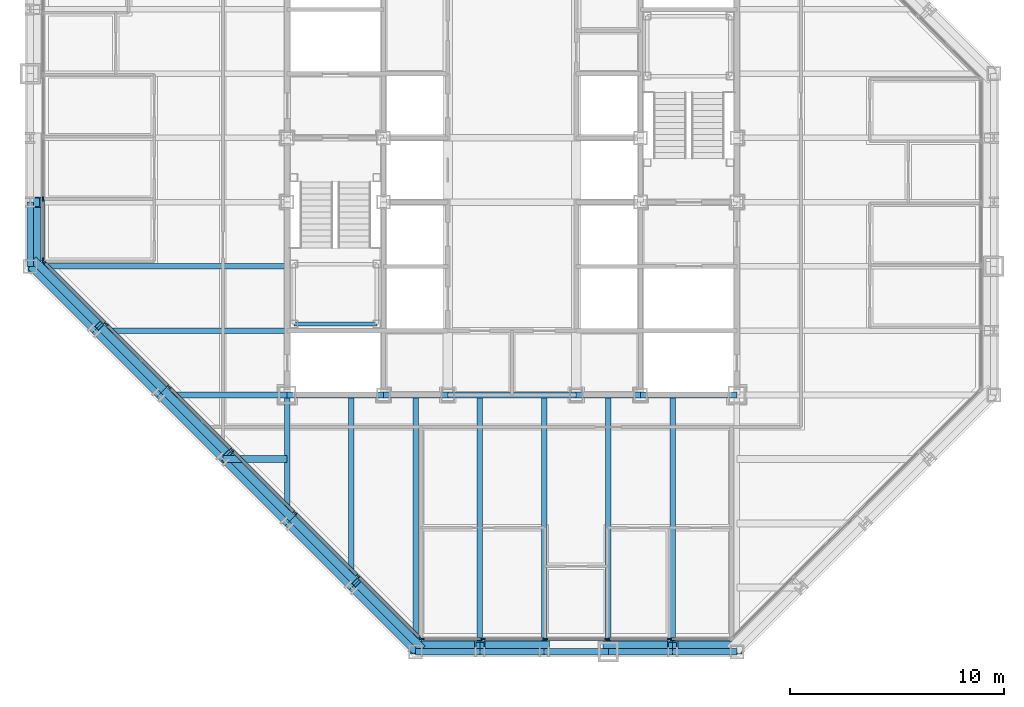
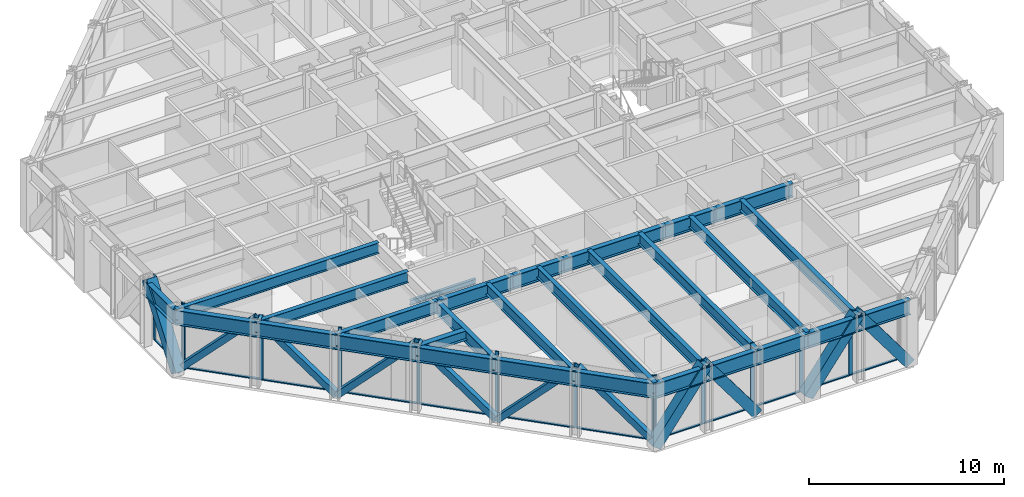
# One storey, part 5 of 16: 37 members, 29 beams, 3 elements without a shape of their own.
"""IFC4 building model written with IfcOpenShell, lengths in metres."""

from ifc_helpers import new_model, si_unit, direction, frame, origin, origin_2d, place, context, subcontext, project, spatial, rectangle, hollow_rectangle, i_section, extrude, material, layer, layer_set, material_profile, profile_set, type_object, element, aggregate, save


model = new_model("IFC4")

# Units and contexts
model_context = context("Model", 3, precision=1e-05, world=origin(), true_north=direction((0.0, 1.0)))
body_context = subcontext(model_context, "Body", "Model", "MODEL_VIEW")
ifc_project = project(units=[si_unit("LENGTHUNIT", "METRE"), si_unit("AREAUNIT", "SQUARE_METRE"), si_unit("VOLUMEUNIT", "CUBIC_METRE"), si_unit("PLANEANGLEUNIT", "RADIAN"), si_unit("MASSUNIT", "GRAM", prefix="KILO")], contexts=[model_context])

# Site, building, storey
site_placement = place(None, origin())
site = spatial("IfcSite", under=ifc_project, at=site_placement, CompositionType="ELEMENT")
building_placement = place(site_placement, origin())
building = spatial("IfcBuilding", under=site, at=building_placement, Name="Chuquiago Exchange Tower", CompositionType="ELEMENT")
storey_placement = place(building_placement, frame((0.0, 0.0, 205.5)))
storey = spatial("IfcBuildingStorey", under=building, at=storey_placement, Name="L45", CompositionType="ELEMENT", Elevation=205.5)

# Beams
ifc_material_1 = material(Name="Steel ASTM A992", Category="steel")
ifc_material_profile_1 = material_profile(ifc_material_1, i_section(OverallWidth=0.25390625, OverallDepth=0.683349609375, WebThickness=0.012451171875, FlangeThickness=0.018798828125, at=origin_2d()), Name="W27X94")
ifc_profile_set_1 = profile_set([ifc_material_profile_1], Name="Steel ASTM A992")
beam_type_1 = type_object("IfcBeamType", Name="B1 W27X94", PredefinedType="BEAM", material=ifc_profile_set_1)
beam_1_placement = place(storey_placement, frame((15.0, 12.0, 3.698486328125), z_axis=(0.0, -1.0, 0.0), x_axis=(1.0, 0.0, 0.0)))
element("IfcBeam", 1, at=beam_1_placement, inside=storey, type_object=beam_type_1, Name="FB-L46-infill-15_12-15_3-0", PredefinedType="BEAM", context=body_context, shape_type="SweptSolid", body=[
    extrude(i_section(OverallWidth=0.25390625, OverallDepth=0.683349609375, WebThickness=0.012451171875, FlangeThickness=0.018798828125, at=origin_2d()), origin(), (0.0, 0.0, 1.0), 9.0),
])
for number, where, z_axis, x_axis, name in (
    (2, (18.0, 12.0, 3.698486328125), (0.0, -1.0, 0.0), (1.0, 0.0, 0.0), "FB-L46-infill-18_12-18_-0-0"),
    (3, (21.0, 12.0, 3.698486328125), (0.0, -1.0, 0.0), (1.0, 0.0, 0.0), "FB-L46-infill-21_12-21_-0-0"),
    (4, (24.0, 12.0, 3.698486328125), (0.0, -1.0, 0.0), (1.0, 0.0, 0.0), "FB-L46-infill-24_12-24_-0-0"),
    (5, (27.0, 12.0, 3.698486328125), (0.0, -1.0, 0.0), (1.0, 0.0, 0.0), "FB-L46-infill-27_12-27_-0-0"),
    (6, (30.0, 12.0, 3.698486328125), (0.0, -1.0, 0.0), (1.0, 0.0, 0.0), "FB-L46-infill-30_12-30_-0-0"),
):
    element("IfcBeam", number, at=place(storey_placement, frame(where, z_axis=z_axis, x_axis=x_axis)), inside=storey, type_object=beam_type_1, Name=name, PredefinedType="BEAM", context=body_context, shape_type="SweptSolid", body=[
        extrude(i_section(OverallWidth=0.25390625, OverallDepth=0.683349609375, WebThickness=0.012451171875, FlangeThickness=0.018798828125, at=origin_2d()), origin(), (0.0, 0.0, 1.0), 12.0),
    ])
beam_2_placement = place(storey_placement, frame((12.0, 15.0, 3.698486328125), z_axis=(-1.0, 0.0, 0.0), x_axis=(0.0, -1.0, 0.0)))
element("IfcBeam", 7, at=beam_2_placement, inside=storey, type_object=beam_type_1, Name="FB-L46-infill-12_15-3_15-0", PredefinedType="BEAM", context=body_context, shape_type="SweptSolid", body=[
    extrude(i_section(OverallWidth=0.25390625, OverallDepth=0.683349609375, WebThickness=0.012451171875, FlangeThickness=0.018798828125, at=origin_2d()), origin(), (0.0, 0.0, 1.0), 9.0),
])
beam_3_placement = place(storey_placement, frame((12.0, 18.0, 3.698486328125), z_axis=(-1.0, 0.0, 0.0), x_axis=(0.0, -1.0, 0.0)))
element("IfcBeam", 8, at=beam_3_placement, inside=storey, type_object=beam_type_1, Name="FB-L46-infill-12_18--0_18-0", PredefinedType="BEAM", context=body_context, shape_type="SweptSolid", body=[
    extrude(i_section(OverallWidth=0.25390625, OverallDepth=0.683349609375, WebThickness=0.012451171875, FlangeThickness=0.018798828125, at=origin_2d()), origin(), (0.0, 0.0, 1.0), 12.0),
])
ifc_material_2 = material(Name="Steel ASTM A992", Category="steel")
ifc_material_profile_2 = material_profile(ifc_material_2, i_section(OverallWidth=0.3251953125, OverallDepth=0.612060546875, WebThickness=0.0126953125, FlangeThickness=0.01904296875, at=origin_2d()), Name="W24X104")
ifc_profile_set_2 = profile_set([ifc_material_profile_2], Name="Steel ASTM A992")
beam_type_2 = type_object("IfcBeamType", Name="B2 W24X104", PredefinedType="BEAM", material=ifc_profile_set_2)
beam_4_placement = place(storey_placement, frame((12.0, 9.0, 3.73388671875), z_axis=(-1.0, 0.0, 0.0), x_axis=(0.0, -1.0, 0.0)))
element("IfcBeam", 9, at=beam_4_placement, inside=storey, type_object=beam_type_2, Name="FB-L46-corner-12_9-9_9-0", PredefinedType="BEAM", context=body_context, shape_type="SweptSolid", body=[
    extrude(i_section(OverallWidth=0.3251953125, OverallDepth=0.612060546875, WebThickness=0.0126953125, FlangeThickness=0.01904296875, at=origin_2d()), origin(), (0.0, 0.0, 1.0), 3.0),
])
ifc_material_3 = material(Name="Steel ASTM A992", Category="steel")
ifc_material_profile_3 = material_profile(ifc_material_3, i_section(OverallWidth=0.2919921875, OverallDepth=0.8583984375, WebThickness=0.01708984375, FlangeThickness=0.031005859375, at=origin_2d()), Name="W33X169")
ifc_profile_set_3 = profile_set([ifc_material_profile_3], Name="Steel ASTM A992")
beam_type_3 = type_object("IfcBeamType", Name="B3 W33X169", PredefinedType="BEAM", material=ifc_profile_set_3)
beam_5_placement = place(storey_placement, frame((12.0, 12.0, 3.610595703125), z_axis=(1.0, 0.0, 0.0), x_axis=(0.0, 1.0, 0.0)))
element("IfcBeam", 10, at=beam_5_placement, inside=storey, type_object=beam_type_3, Name="CB-L46-12_12-16.5_12", PredefinedType="BEAM", context=body_context, shape_type="SweptSolid", body=[
    extrude(i_section(OverallWidth=0.2919921875, OverallDepth=0.8583984375, WebThickness=0.01708984375, FlangeThickness=0.031005859375, at=origin_2d()), origin(), (0.0, 0.0, 1.0), 4.5),
])
beam_6_placement = place(storey_placement, frame((16.5, 12.0, 3.610595703125), z_axis=(1.0, 0.0, 0.0), x_axis=(0.0, 1.0, 0.0)))
element("IfcBeam", 11, at=beam_6_placement, inside=storey, type_object=beam_type_3, Name="CB-L46-16.5_12-19.5_12", PredefinedType="BEAM", context=body_context, shape_type="SweptSolid", body=[
    extrude(i_section(OverallWidth=0.2919921875, OverallDepth=0.8583984375, WebThickness=0.01708984375, FlangeThickness=0.031005859375, at=origin_2d()), origin(), (0.0, 0.0, 1.0), 3.0),
])
beam_7_placement = place(storey_placement, frame((19.5, 12.0, 3.610595703125), z_axis=(1.0, 0.0, 0.0), x_axis=(0.0, 1.0, 0.0)))
element("IfcBeam", 12, at=beam_7_placement, inside=storey, type_object=beam_type_3, Name="CB-L46-19.5_12-25.5_12", PredefinedType="BEAM", context=body_context, shape_type="SweptSolid", body=[
    extrude(i_section(OverallWidth=0.2919921875, OverallDepth=0.8583984375, WebThickness=0.01708984375, FlangeThickness=0.031005859375, at=origin_2d()), origin(), (0.0, 0.0, 1.0), 6.0),
])
beam_8_placement = place(storey_placement, frame((25.5, 12.0, 3.610595703125), z_axis=(1.0, 0.0, 0.0), x_axis=(0.0, 1.0, 0.0)))
element("IfcBeam", 13, at=beam_8_placement, inside=storey, type_object=beam_type_3, Name="CB-L46-25.5_12-28.5_12", PredefinedType="BEAM", context=body_context, shape_type="SweptSolid", body=[
    extrude(i_section(OverallWidth=0.2919921875, OverallDepth=0.8583984375, WebThickness=0.01708984375, FlangeThickness=0.031005859375, at=origin_2d()), origin(), (0.0, 0.0, 1.0), 3.0),
])
beam_9_placement = place(storey_placement, frame((28.5, 12.0, 3.610595703125), z_axis=(1.0, 0.0, 0.0), x_axis=(0.0, 1.0, 0.0)))
element("IfcBeam", 14, at=beam_9_placement, inside=storey, type_object=beam_type_3, Name="CB-L46-28.5_12-33_12", PredefinedType="BEAM", context=body_context, shape_type="SweptSolid", body=[
    extrude(i_section(OverallWidth=0.2919921875, OverallDepth=0.8583984375, WebThickness=0.01708984375, FlangeThickness=0.031005859375, at=origin_2d()), origin(), (0.0, 0.0, 1.0), 4.5),
])

# Curtain wall, members
ifc_material_4 = material(Name="Aluminium curtain wall system", Category="aluminium")
ifc_layer_1 = layer(ifc_material_4, 0.22509765625)
ifc_layer_set_1 = layer_set([ifc_layer_1], Name="CW2 office curtain wall")
curtain_wall_type_1 = type_object("IfcCurtainWallType", Name="CW2 office curtain wall", PredefinedType="NOTDEFINED", material=ifc_layer_set_1)
curtain_wall_1_placement = place(storey_placement, origin())
curtain_wall_1 = element("IfcCurtainWall", 15, at=curtain_wall_1_placement, inside=storey, type_object=curtain_wall_type_1, Name="CW2 curtain wall L45", PredefinedType="NOTDEFINED")
ifc_material_5 = material(Name="Aluminium mullion, pale anodised", Category="aluminium")
ifc_material_profile_4 = material_profile(ifc_material_5, rectangle(XDim=0.06494140625, YDim=0.22509765625, at=origin_2d()), Name="AL 65x225")
ifc_profile_set_4 = profile_set([ifc_material_profile_4], Name="Aluminium mullion, pale anodised")
member_type_1 = type_object("IfcMemberType", Name="CW2-M mullion 65x225", PredefinedType="MULLION", material=ifc_profile_set_4)
member_1_placement = place(storey_placement, frame((18.281005859375, 0.60009765625, 0.0), z_axis=(0.0, 0.0, 1.0), x_axis=(0.0, 1.0, 0.0)))
member_1 = element("IfcMember", 16, at=member_1_placement, type_object=member_type_1, Name="CW2 mullion 1", PredefinedType="MULLION", context=body_context, shape_type="SweptSolid", body=[
    extrude(rectangle(XDim=0.06494140625, YDim=0.22509765625, at=origin_2d()), origin(), (0.0, 0.0, 1.0), 4.0400390625),
])
member_2_placement = place(storey_placement, frame((21.149169921875, 0.60009765625, 0.0), z_axis=(0.0, 0.0, 1.0), x_axis=(0.0, 1.0, 0.0)))
member_2 = element("IfcMember", 17, at=member_2_placement, type_object=member_type_1, Name="CW2 mullion 2", PredefinedType="MULLION", context=body_context, shape_type="SweptSolid", body=[
    extrude(rectangle(XDim=0.06494140625, YDim=0.22509765625, at=origin_2d()), origin(), (0.0, 0.0, 1.0), 4.0400390625),
])
member_3_placement = place(storey_placement, frame((24.0498046875, 0.60009765625, 0.0), z_axis=(0.0, 0.0, 1.0), x_axis=(0.0, 1.0, 0.0)))
member_3 = element("IfcMember", 18, at=member_3_placement, type_object=member_type_1, Name="CW2 mullion 3", PredefinedType="MULLION", context=body_context, shape_type="SweptSolid", body=[
    extrude(rectangle(XDim=0.06494140625, YDim=0.22509765625, at=origin_2d()), origin(), (0.0, 0.0, 1.0), 4.0400390625),
])
member_4_placement = place(storey_placement, frame((26.9501953125, 0.60009765625, 0.0), z_axis=(0.0, 0.0, 1.0), x_axis=(0.0, 1.0, 0.0)))
member_4 = element("IfcMember", 19, at=member_4_placement, type_object=member_type_1, Name="CW2 mullion 4", PredefinedType="MULLION", context=body_context, shape_type="SweptSolid", body=[
    extrude(rectangle(XDim=0.06494140625, YDim=0.22509765625, at=origin_2d()), origin(), (0.0, 0.0, 1.0), 4.0400390625),
])
member_5_placement = place(storey_placement, frame((29.850830078125, 0.60009765625, 0.0), z_axis=(0.0, 0.0, 1.0), x_axis=(0.0, 1.0, 0.0)))
member_5 = element("IfcMember", 20, at=member_5_placement, type_object=member_type_1, Name="CW2 mullion 5", PredefinedType="MULLION", context=body_context, shape_type="SweptSolid", body=[
    extrude(rectangle(XDim=0.06494140625, YDim=0.22509765625, at=origin_2d()), origin(), (0.0, 0.0, 1.0), 4.0400390625),
])

curtain_wall_2_placement = place(storey_placement, origin())
curtain_wall_2 = element("IfcCurtainWall", 21, at=curtain_wall_2_placement, inside=storey, type_object=curtain_wall_type_1, Name="CW2 curtain wall L45", PredefinedType="NOTDEFINED")
member_6_placement = place(storey_placement, frame((0.60009765625, 21.149169921875, 0.0), z_axis=(0.0, 0.0, 1.0), x_axis=(1.0, 0.0, 0.0)))
member_6 = element("IfcMember", 22, at=member_6_placement, type_object=member_type_1, Name="CW2 mullion 5", PredefinedType="MULLION", context=body_context, shape_type="SweptSolid", body=[
    extrude(rectangle(XDim=0.06494140625, YDim=0.22509765625, at=origin_2d()), origin(), (0.0, 0.0, 1.0), 4.0400390625),
])
member_7_placement = place(storey_placement, frame((0.60009765625, 18.281005859375, 0.0), z_axis=(0.0, 0.0, 1.0), x_axis=(1.0, 0.0, 0.0)))
member_7 = element("IfcMember", 23, at=member_7_placement, type_object=member_type_1, Name="CW2 mullion 6", PredefinedType="MULLION", context=body_context, shape_type="SweptSolid", body=[
    extrude(rectangle(XDim=0.06494140625, YDim=0.22509765625, at=origin_2d()), origin(), (0.0, 0.0, 1.0), 4.0400390625),
])

# Member
ifc_material_6 = material(Name="Aluminium transom, pale anodised", Category="aluminium")
ifc_material_profile_5 = material_profile(ifc_material_6, rectangle(XDim=0.139892578125, YDim=0.06494140625, at=origin_2d()), Name="AL 140x65")
ifc_profile_set_5 = profile_set([ifc_material_profile_5], Name="Aluminium transom, pale anodised")
member_type_2 = type_object("IfcMemberType", Name="CW2-T transom 65x140", PredefinedType="MULLION", material=ifc_profile_set_5)
member_8_placement = place(storey_placement, frame((18.3134765625, 0.60009765625, 0.032470703125), z_axis=(1.0, 0.0, 0.0), x_axis=(0.0, 1.0, 0.0)))
member_8 = element("IfcMember", 24, at=member_8_placement, type_object=member_type_2, Name="CW2 transom 1.1", PredefinedType="MULLION", context=body_context, shape_type="SweptSolid", body=[
    extrude(rectangle(XDim=0.139892578125, YDim=0.06494140625, at=origin_2d()), origin(), (0.0, 0.0, 1.0), 2.80322265625),
])

member_9_placement = place(storey_placement, frame((21.181640625, 0.60009765625, 0.032470703125), z_axis=(1.0, 0.0, 0.0), x_axis=(0.0, 1.0, 0.0)))
member_9 = element("IfcMember", 25, at=member_9_placement, type_object=member_type_2, Name="CW2 transom 2.1", PredefinedType="MULLION", context=body_context, shape_type="SweptSolid", body=[
    extrude(rectangle(XDim=0.139892578125, YDim=0.06494140625, at=origin_2d()), origin(), (0.0, 0.0, 1.0), 2.83544921875),
])

member_10_placement = place(storey_placement, frame((24.082275390625, 0.60009765625, 0.032470703125), z_axis=(1.0, 0.0, 0.0), x_axis=(0.0, 1.0, 0.0)))
member_10 = element("IfcMember", 26, at=member_10_placement, type_object=member_type_2, Name="CW2 transom 3.1", PredefinedType="MULLION", context=body_context, shape_type="SweptSolid", body=[
    extrude(rectangle(XDim=0.139892578125, YDim=0.06494140625, at=origin_2d()), origin(), (0.0, 0.0, 1.0), 2.83544921875),
])

member_11_placement = place(storey_placement, frame((26.98291015625, 0.60009765625, 0.032470703125), z_axis=(1.0, 0.0, 0.0), x_axis=(0.0, 1.0, 0.0)))
member_11 = element("IfcMember", 27, at=member_11_placement, type_object=member_type_2, Name="CW2 transom 4.1", PredefinedType="MULLION", context=body_context, shape_type="SweptSolid", body=[
    extrude(rectangle(XDim=0.139892578125, YDim=0.06494140625, at=origin_2d()), origin(), (0.0, 0.0, 1.0), 2.83544921875),
])

member_12_placement = place(storey_placement, frame((29.88330078125, 0.60009765625, 0.032470703125), z_axis=(1.0, 0.0, 0.0), x_axis=(0.0, 1.0, 0.0)))
member_12 = element("IfcMember", 28, at=member_12_placement, type_object=member_type_2, Name="CW2 transom 5.1", PredefinedType="MULLION", context=body_context, shape_type="SweptSolid", body=[
    extrude(rectangle(XDim=0.139892578125, YDim=0.06494140625, at=origin_2d()), origin(), (0.0, 0.0, 1.0), 2.80322265625),
])

aggregate(curtain_wall_1, [member_1, member_2, member_3, member_4, member_5, member_8, member_9, member_10, member_11, member_12])

member_13_placement = place(storey_placement, frame((0.60009765625, 21.11669921875, 0.032470703125), z_axis=(0.0, -1.0, 0.0), x_axis=(1.0, 0.0, 0.0)))
member_13 = element("IfcMember", 29, at=member_13_placement, type_object=member_type_2, Name="CW2 transom 5.1", PredefinedType="MULLION", context=body_context, shape_type="SweptSolid", body=[
    extrude(rectangle(XDim=0.139892578125, YDim=0.06494140625, at=origin_2d()), origin(), (0.0, 0.0, 1.0), 2.80322265625),
])

aggregate(curtain_wall_2, [member_6, member_7, member_13])

# Curtain wall, members
ifc_material_7 = material(Name="Aluminium curtain wall system", Category="aluminium")
ifc_layer_2 = layer(ifc_material_7, 0.199951171875)
ifc_layer_set_2 = layer_set([ifc_layer_2], Name="CW3 facet curtain wall")
curtain_wall_type_2 = type_object("IfcCurtainWallType", Name="CW3 facet curtain wall", PredefinedType="NOTDEFINED", material=ifc_layer_set_2)
curtain_wall_3_placement = place(storey_placement, origin())
curtain_wall_3 = element("IfcCurtainWall", 30, at=curtain_wall_3_placement, inside=storey, type_object=curtain_wall_type_2, Name="CW3 curtain wall L45", PredefinedType="NOTDEFINED")
ifc_material_8 = material(Name="Aluminium mullion, pale anodised", Category="aluminium")
ifc_material_profile_6 = material_profile(ifc_material_8, rectangle(XDim=0.06494140625, YDim=0.199951171875, at=origin_2d()), Name="AL 65x200")
ifc_profile_set_6 = profile_set([ifc_material_profile_6], Name="Aluminium mullion, pale anodised")
member_type_3 = type_object("IfcMemberType", Name="CW3-M mullion 65x200", PredefinedType="MULLION", material=ifc_profile_set_6)
member_14_placement = place(storey_placement, frame((0.623046875, 18.2255859375, 0.0), z_axis=(0.0, 0.0, 1.0), x_axis=(0.707106781187, 0.707106781187, 0.0)))
member_14 = element("IfcMember", 31, at=member_14_placement, type_object=member_type_3, Name="CW3 mullion 1", PredefinedType="MULLION", context=body_context, shape_type="SweptSolid", body=[
    extrude(rectangle(XDim=0.06494140625, YDim=0.199951171875, at=origin_2d()), origin(), (0.0, 0.0, 1.0), 4.0400390625),
])
member_15_placement = place(storey_placement, frame((3.54150390625, 15.30712890625, 0.0), z_axis=(0.0, 0.0, 1.0), x_axis=(0.707106781187, 0.707106781187, 0.0)))
member_15 = element("IfcMember", 32, at=member_15_placement, type_object=member_type_3, Name="CW3 mullion 2", PredefinedType="MULLION", context=body_context, shape_type="SweptSolid", body=[
    extrude(rectangle(XDim=0.06494140625, YDim=0.199951171875, at=origin_2d()), origin(), (0.0, 0.0, 1.0), 4.0400390625),
])
member_16_placement = place(storey_placement, frame((6.48291015625, 12.36572265625, 0.0), z_axis=(0.0, 0.0, 1.0), x_axis=(0.707106781187, 0.707106781187, 0.0)))
member_16 = element("IfcMember", 33, at=member_16_placement, type_object=member_type_3, Name="CW3 mullion 3", PredefinedType="MULLION", context=body_context, shape_type="SweptSolid", body=[
    extrude(rectangle(XDim=0.06494140625, YDim=0.199951171875, at=origin_2d()), origin(), (0.0, 0.0, 1.0), 4.0400390625),
])
member_17_placement = place(storey_placement, frame((9.42431640625, 9.42431640625, 0.0), z_axis=(0.0, 0.0, 1.0), x_axis=(0.707106781187, 0.707106781187, 0.0)))
member_17 = element("IfcMember", 34, at=member_17_placement, type_object=member_type_3, Name="CW3 mullion 4", PredefinedType="MULLION", context=body_context, shape_type="SweptSolid", body=[
    extrude(rectangle(XDim=0.06494140625, YDim=0.199951171875, at=origin_2d()), origin(), (0.0, 0.0, 1.0), 4.0400390625),
])
member_18_placement = place(storey_placement, frame((12.36572265625, 6.48291015625, 0.0), z_axis=(0.0, 0.0, 1.0), x_axis=(0.707106781187, 0.707106781187, 0.0)))
member_18 = element("IfcMember", 35, at=member_18_placement, type_object=member_type_3, Name="CW3 mullion 5", PredefinedType="MULLION", context=body_context, shape_type="SweptSolid", body=[
    extrude(rectangle(XDim=0.06494140625, YDim=0.199951171875, at=origin_2d()), origin(), (0.0, 0.0, 1.0), 4.0400390625),
])
member_19_placement = place(storey_placement, frame((15.30712890625, 3.54150390625, 0.0), z_axis=(0.0, 0.0, 1.0), x_axis=(0.707106781187, 0.707106781187, 0.0)))
member_19 = element("IfcMember", 36, at=member_19_placement, type_object=member_type_3, Name="CW3 mullion 6", PredefinedType="MULLION", context=body_context, shape_type="SweptSolid", body=[
    extrude(rectangle(XDim=0.06494140625, YDim=0.199951171875, at=origin_2d()), origin(), (0.0, 0.0, 1.0), 4.0400390625),
])
member_20_placement = place(storey_placement, frame((18.2255859375, 0.623046875, 0.0), z_axis=(0.0, 0.0, 1.0), x_axis=(0.707106781187, 0.707106781187, 0.0)))
member_20 = element("IfcMember", 37, at=member_20_placement, type_object=member_type_3, Name="CW3 mullion 7", PredefinedType="MULLION", context=body_context, shape_type="SweptSolid", body=[
    extrude(rectangle(XDim=0.06494140625, YDim=0.199951171875, at=origin_2d()), origin(), (0.0, 0.0, 1.0), 4.0400390625),
])
ifc_material_9 = material(Name="Aluminium transom, pale anodised", Category="aluminium")
ifc_material_profile_7 = material_profile(ifc_material_9, rectangle(XDim=0.139892578125, YDim=0.06494140625, at=origin_2d()), Name="AL 140x65")
ifc_profile_set_7 = profile_set([ifc_material_profile_7], Name="Aluminium transom, pale anodised")
member_type_4 = type_object("IfcMemberType", Name="CW3-T transom 65x140", PredefinedType="MULLION", material=ifc_profile_set_7)
member_21_placement = place(storey_placement, frame((0.64599609375, 18.20263671875, 0.032470703125), z_axis=(0.707106781187, -0.707106781187, 0.0), x_axis=(0.707106781187, 0.707106781187, 0.0)))
member_21 = element("IfcMember", 38, at=member_21_placement, type_object=member_type_4, Name="CW3 transom 1.1", PredefinedType="MULLION", context=body_context, shape_type="SweptSolid", body=[
    extrude(rectangle(XDim=0.139892578125, YDim=0.06494140625, at=origin_2d()), origin(), (0.0, 0.0, 1.0), 4.0625),
])
member_22_placement = place(storey_placement, frame((3.564453125, 15.2841796875, 0.032470703125), z_axis=(0.707106781187, -0.707106781187, 0.0), x_axis=(0.707106781187, 0.707106781187, 0.0)))
member_22 = element("IfcMember", 39, at=member_22_placement, type_object=member_type_4, Name="CW3 transom 2.1", PredefinedType="MULLION", context=body_context, shape_type="SweptSolid", body=[
    extrude(rectangle(XDim=0.139892578125, YDim=0.06494140625, at=origin_2d()), origin(), (0.0, 0.0, 1.0), 4.094970703125),
])
member_23_placement = place(storey_placement, frame((6.505859375, 12.3427734375, 0.032470703125), z_axis=(0.707106781187, -0.707106781187, 0.0), x_axis=(0.707106781187, 0.707106781187, 0.0)))
member_23 = element("IfcMember", 40, at=member_23_placement, type_object=member_type_4, Name="CW3 transom 3.1", PredefinedType="MULLION", context=body_context, shape_type="SweptSolid", body=[
    extrude(rectangle(XDim=0.139892578125, YDim=0.06494140625, at=origin_2d()), origin(), (0.0, 0.0, 1.0), 4.094970703125),
])
member_24_placement = place(storey_placement, frame((9.447265625, 9.4013671875, 0.032470703125), z_axis=(0.707106781187, -0.707106781187, 0.0), x_axis=(0.707106781187, 0.707106781187, 0.0)))
member_24 = element("IfcMember", 41, at=member_24_placement, type_object=member_type_4, Name="CW3 transom 4.1", PredefinedType="MULLION", context=body_context, shape_type="SweptSolid", body=[
    extrude(rectangle(XDim=0.139892578125, YDim=0.06494140625, at=origin_2d()), origin(), (0.0, 0.0, 1.0), 4.094970703125),
])
member_25_placement = place(storey_placement, frame((12.388671875, 6.4599609375, 0.032470703125), z_axis=(0.707106781187, -0.707106781187, 0.0), x_axis=(0.707106781187, 0.707106781187, 0.0)))
member_25 = element("IfcMember", 42, at=member_25_placement, type_object=member_type_4, Name="CW3 transom 5.1", PredefinedType="MULLION", context=body_context, shape_type="SweptSolid", body=[
    extrude(rectangle(XDim=0.139892578125, YDim=0.06494140625, at=origin_2d()), origin(), (0.0, 0.0, 1.0), 4.094970703125),
])
member_26_placement = place(storey_placement, frame((15.330078125, 3.5185546875, 0.032470703125), z_axis=(0.707106781187, -0.707106781187, 0.0), x_axis=(0.707106781187, 0.707106781187, 0.0)))
member_26 = element("IfcMember", 43, at=member_26_placement, type_object=member_type_4, Name="CW3 transom 6.1", PredefinedType="MULLION", context=body_context, shape_type="SweptSolid", body=[
    extrude(rectangle(XDim=0.139892578125, YDim=0.06494140625, at=origin_2d()), origin(), (0.0, 0.0, 1.0), 4.0625),
])
aggregate(curtain_wall_3, [member_14, member_15, member_16, member_17, member_18, member_19, member_20, member_21, member_22, member_23, member_24, member_25, member_26])

# Beams
ifc_material_10 = material(Name="Steel ASTM A992", Category="steel")
ifc_material_profile_8 = material_profile(ifc_material_10, i_section(OverallWidth=0.2666015625, OverallDepth=0.76953125, WebThickness=0.015625, FlangeThickness=0.025390625, at=origin_2d()), Name="W30X132")
ifc_profile_set_8 = profile_set([ifc_material_profile_8], Name="Steel ASTM A992")
beam_type_4 = type_object("IfcBeamType", Name="G1 W30X132", PredefinedType="BEAM", material=ifc_profile_set_8)
for number, where, z_axis, x_axis, name in (
    (44, (12.0, 12.0, 3.6552734375), (0.0, -1.0, 0.0), (1.0, 0.0, 0.0), "FB-L46-girder-12_12-12_6-0"),
    (45, (12.0, 12.0, 3.6552734375), (-1.0, 0.0, 0.0), (0.0, -1.0, 0.0), "FB-L46-girder-12_12-6_12-0"),
):
    element("IfcBeam", number, at=place(storey_placement, frame(where, z_axis=z_axis, x_axis=x_axis)), inside=storey, type_object=beam_type_4, Name=name, PredefinedType="BEAM", context=body_context, shape_type="SweptSolid", body=[
        extrude(i_section(OverallWidth=0.2666015625, OverallDepth=0.76953125, WebThickness=0.015625, FlangeThickness=0.025390625, at=origin_2d()), origin(), (0.0, 0.0, 1.0), 6.0),
    ])

# Members
ifc_material_11 = material(Name="Steel ASTM A500 Grade C", Category="steel")
ifc_material_profile_9 = material_profile(ifc_material_11, hollow_rectangle(XDim=0.355712890625, YDim=0.355712890625, WallThickness=0.0146484375, at=origin_2d()), Name="HSS14X14X5/8")
ifc_profile_set_9 = profile_set([ifc_material_profile_9], Name="Steel ASTM A500 Grade C")
member_type_5 = type_object("IfcMemberType", Name="LB2 HSS14X14X5/8", PredefinedType="BRACE", material=ifc_profile_set_9)
for number, where, z_axis, x_axis, name in (
    (46, (0.2314453125, 18.2314453125, 0.0), (0.512077265487, -0.512077265487, 0.689604051861), (0.707106781187, 0.707106781187, 0.0), "LB-L45-0_18-3_15"),
    (47, (6.2314453125, 12.2314453125, 0.0), (-0.512077265487, 0.512077265487, 0.689604051861), (-0.707106781187, -0.707106781187, 0.0), "LB-L45-3_15-6_12"),
    (48, (6.2314453125, 12.2314453125, 0.0), (0.512077265487, -0.512077265487, 0.689604051861), (0.707106781187, 0.707106781187, 0.0), "LB-L45-6_12-9_9"),
    (49, (12.2314453125, 6.2314453125, 0.0), (-0.512077265487, 0.512077265487, 0.689604051861), (-0.707106781187, -0.707106781187, 0.0), "LB-L45-9_9-12_6"),
    (50, (12.2314453125, 6.2314453125, 0.0), (0.512077265487, -0.512077265487, 0.689604051861), (0.707106781187, 0.707106781187, 0.0), "LB-L45-12_6-15_3"),
    (51, (18.2314453125, 0.2314453125, 0.0), (-0.512077265487, 0.512077265487, 0.689604051861), (-0.707106781187, -0.707106781187, 0.0), "LB-L45-15_3-18_0"),
):
    element("IfcMember", number, at=place(storey_placement, frame(where, z_axis=z_axis, x_axis=x_axis)), inside=storey, type_object=member_type_5, Name=name, PredefinedType="BRACE", context=body_context, shape_type="SweptSolid", body=[
        extrude(hollow_rectangle(XDim=0.355712890625, YDim=0.355712890625, WallThickness=0.0146484375, at=origin_2d()), origin(), (0.0, 0.0, 1.0), 5.8583984375),
    ])

# Beam
ifc_material_12 = material(Name="Steel ASTM A992", Category="steel")
ifc_material_profile_10 = material_profile(ifc_material_12, i_section(OverallWidth=0.164794921875, OverallDepth=0.309814453125, WebThickness=0.005859375, FlangeThickness=0.009765625, at=origin_2d()), Name="W12X26")
ifc_profile_set_10 = profile_set([ifc_material_profile_10], Name="Steel ASTM A992")
beam_type_5 = type_object("IfcBeamType", Name="LT1 W12X26", PredefinedType="BEAM", material=ifc_profile_set_10)
beam_10_placement = place(storey_placement, frame((12.31005859375, 15.31005859375, 1.7451171875), z_axis=(1.0, 0.0, 0.0), x_axis=(0.0, 1.0, 0.0)))
element("IfcBeam", 52, at=beam_10_placement, inside=storey, type_object=beam_type_5, Name="Stair ST1 L45 landing 1 trimmer", PredefinedType="BEAM", context=body_context, shape_type="SweptSolid", body=[
    extrude(i_section(OverallWidth=0.164794921875, OverallDepth=0.309814453125, WebThickness=0.005859375, FlangeThickness=0.009765625, at=origin_2d()), origin(), (0.0, 0.0, 1.0), 3.8798828125),
])

# Members
ifc_material_13 = material(Name="Steel ASTM A572 Grade 50", Category="steel")
ifc_material_profile_11 = material_profile(ifc_material_13, hollow_rectangle(XDim=0.60009765625, YDim=0.60009765625, WallThickness=0.06005859375, at=origin_2d()), Name="BOX600X600X60")
ifc_profile_set_11 = profile_set([ifc_material_profile_11], Name="Steel ASTM A572 Grade 50")
member_type_6 = type_object("IfcMemberType", Name="MB3 BOX600X600X60", PredefinedType="BRACE", material=ifc_profile_set_11)
for number, where, z_axis, x_axis, name in (
    (53, (18.0, 0.205078125, 0.0), (0.596173923302, 0.0, 0.802855312728), (0.0, 1.0, 0.0), "Mega diagonal L45 S face"),
    (54, (24.0, 0.205078125, 0.0), (-0.596173923302, 0.0, 0.802855312728), (0.0, -1.0, 0.0), "Mega diagonal L45 S face"),
    (55, (27.0, 0.205078125, 0.0), (0.596173923302, 0.0, 0.802855312728), (0.0, 1.0, 0.0), "Mega diagonal L45 S face"),
    (56, (33.0, 0.205078125, 0.0), (-0.596173923302, 0.0, 0.802855312728), (0.0, -1.0, 0.0), "Mega diagonal L45 S face"),
    (57, (0.205078125, 18.0, 0.0), (0.0, 0.596173923302, 0.802855312728), (-1.0, 0.0, 0.0), "Mega diagonal L45 W face"),
):
    element("IfcMember", number, at=place(storey_placement, frame(where, z_axis=z_axis, x_axis=x_axis)), inside=storey, type_object=member_type_6, Name=name, PredefinedType="BRACE", context=body_context, shape_type="SweptSolid", body=[
        extrude(hollow_rectangle(XDim=0.60009765625, YDim=0.60009765625, WallThickness=0.06005859375, at=origin_2d()), origin(), (0.0, 0.0, 1.0), 5.031982421875),
    ])

# Beams
ifc_material_14 = material(Name="Steel ASTM A992", Category="steel")
ifc_material_profile_12 = material_profile(ifc_material_14, i_section(OverallWidth=0.307373046875, OverallDepth=0.927001953125, WebThickness=0.01953125, FlangeThickness=0.031982421875, at=origin_2d()), Name="W36X194")
ifc_profile_set_12 = profile_set([ifc_material_profile_12], Name="Steel ASTM A992")
beam_type_6 = type_object("IfcBeamType", Name="SP3 W36X194", PredefinedType="SPANDREL", material=ifc_profile_set_12)
for number, where, z_axis, x_axis, name in (
    (58, (18.0, 0.0, 3.576416015625), (1.0, 0.0, 0.0), (0.0, 1.0, 0.0), "SPB-L46-18_0-21_0"),
    (59, (21.0, 0.0, 3.576416015625), (1.0, 0.0, 0.0), (0.0, 1.0, 0.0), "SPB-L46-21_0-24_0"),
    (60, (24.0, 0.0, 3.576416015625), (1.0, 0.0, 0.0), (0.0, 1.0, 0.0), "SPB-L46-24_0-27_0"),
    (61, (27.0, 0.0, 3.576416015625), (1.0, 0.0, 0.0), (0.0, 1.0, 0.0), "SPB-L46-27_0-30_0"),
    (62, (30.0, 0.0, 3.576416015625), (1.0, 0.0, 0.0), (0.0, 1.0, 0.0), "SPB-L46-30_0-33_0"),
    (63, (0.0, 21.0, 3.576416015625), (0.0, -1.0, 0.0), (1.0, 0.0, 0.0), "SPB-L46-0_21-0_18"),
):
    element("IfcBeam", number, at=place(storey_placement, frame(where, z_axis=z_axis, x_axis=x_axis)), inside=storey, type_object=beam_type_6, Name=name, PredefinedType="SPANDREL", context=body_context, shape_type="SweptSolid", body=[
        extrude(i_section(OverallWidth=0.307373046875, OverallDepth=0.927001953125, WebThickness=0.01953125, FlangeThickness=0.031982421875, at=origin_2d()), origin(), (0.0, 0.0, 1.0), 3.0),
    ])
for number, where, z_axis, x_axis, name in (
    (64, (0.0, 18.0, 3.576416015625), (0.707106781187, -0.707106781187, 0.0), (0.707106781187, 0.707106781187, 0.0), "SPB-L46-0_18-3_15"),
    (65, (3.0, 15.0, 3.576416015625), (0.707106781187, -0.707106781187, 0.0), (0.707106781187, 0.707106781187, 0.0), "SPB-L46-3_15-6_12"),
    (66, (6.0, 12.0, 3.576416015625), (0.707106781187, -0.707106781187, 0.0), (0.707106781187, 0.707106781187, 0.0), "SPB-L46-6_12-9_9"),
    (67, (9.0, 9.0, 3.576416015625), (0.707106781187, -0.707106781187, 0.0), (0.707106781187, 0.707106781187, 0.0), "SPB-L46-9_9-12_6"),
    (68, (12.0, 6.0, 3.576416015625), (0.707106781187, -0.707106781187, 0.0), (0.707106781187, 0.707106781187, 0.0), "SPB-L46-12_6-15_3"),
    (69, (15.0, 3.0, 3.576416015625), (0.707106781187, -0.707106781187, 0.0), (0.707106781187, 0.707106781187, 0.0), "SPB-L46-15_3-18_0"),
):
    element("IfcBeam", number, at=place(storey_placement, frame(where, z_axis=z_axis, x_axis=x_axis)), inside=storey, type_object=beam_type_6, Name=name, PredefinedType="SPANDREL", context=body_context, shape_type="SweptSolid", body=[
        extrude(i_section(OverallWidth=0.307373046875, OverallDepth=0.927001953125, WebThickness=0.01953125, FlangeThickness=0.031982421875, at=origin_2d()), origin(), (0.0, 0.0, 1.0), 4.24267578125),
    ])

save(model, "model.ifc")
